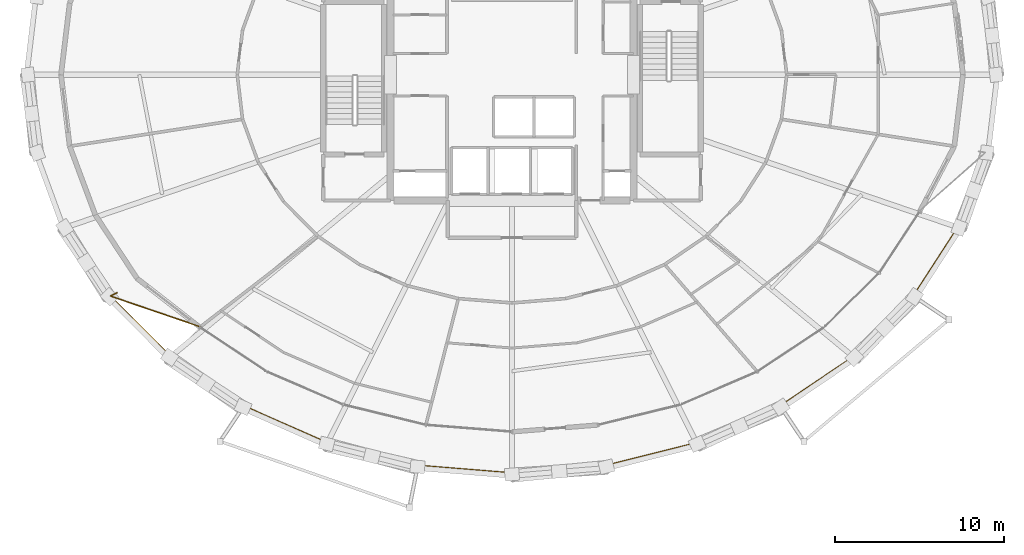
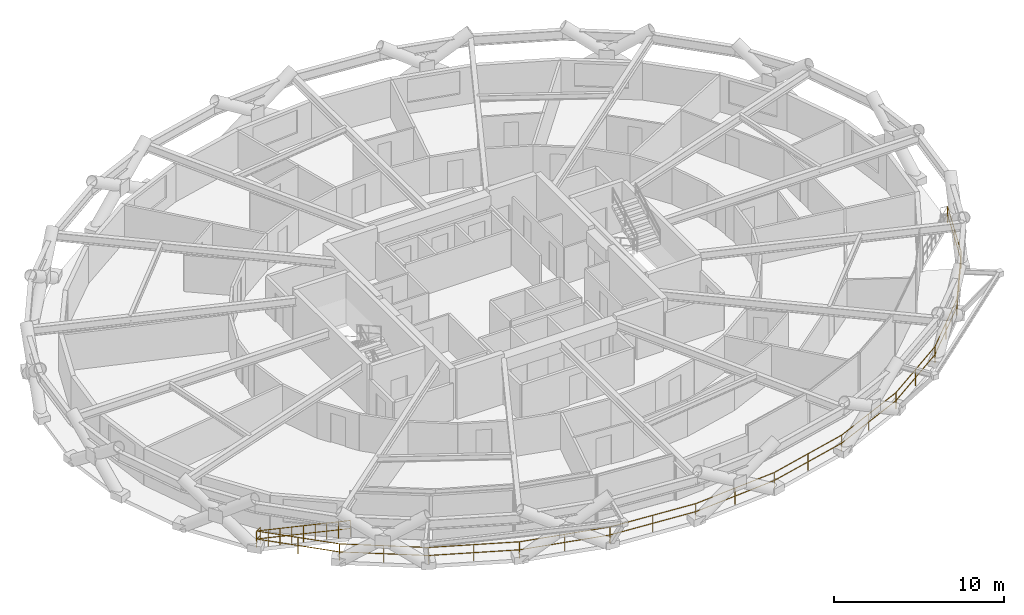
# One storey, part 20 of 21: 2 railings.
"""IFC4 building model written with IfcOpenShell, lengths in metres."""

from ifc_helpers import new_model, si_unit, direction, frame, origin, origin_2d, place, context, subcontext, project, spatial, circle, extrude, material, type_object, element, save


model = new_model("IFC4")

# Units and contexts
model_context = context("Model", 3, precision=1e-05, world=origin(), true_north=direction((0.0, 1.0)))
body_context = subcontext(model_context, "Body", "Model", "MODEL_VIEW")
ifc_project = project(units=[si_unit("LENGTHUNIT", "METRE"), si_unit("AREAUNIT", "SQUARE_METRE"), si_unit("VOLUMEUNIT", "CUBIC_METRE"), si_unit("PLANEANGLEUNIT", "RADIAN"), si_unit("MASSUNIT", "GRAM", prefix="KILO")], contexts=[model_context])

# Site, building, storey
site_placement = place(None, origin())
site = spatial("IfcSite", under=ifc_project, at=site_placement, CompositionType="ELEMENT")
building_placement = place(site_placement, origin())
building = spatial("IfcBuilding", under=site, at=building_placement, Name="Veldorina Hangang Commons", CompositionType="ELEMENT")
storey_placement = place(building_placement, frame((0.0, 0.0, 59.199951171875)))
storey = spatial("IfcBuildingStorey", under=building, at=storey_placement, Name="L14", CompositionType="ELEMENT", Elevation=59.199951171875)

# Railings
ifc_material = material(Name="Glass Laminated Safety Balustrade", Category="glass")
railing_type = type_object("IfcRailingType", Name="RL-BAL-LOGGIA", PredefinedType="BALUSTRADE", material=ifc_material)
railing_1_placement = place(storey_placement, frame((8.597412109375, 11.089599609375, 0.0)))
element("IfcRailing", 1, at=railing_1_placement, inside=storey, type_object=railing_type, Name="L14 sky-garden loggia end balustrade A", PredefinedType="BALUSTRADE", context=body_context, shape_type="SweptSolid", body=[
    extrude(circle(Radius=0.02392578125, at=origin_2d()), frame((0.0, 0.0, 1.17578125), z_axis=(-0.875687838718, -0.482877633693, 0.0), x_axis=(0.482877633693, -0.875687838718, 0.0)), (0.0, 0.0, 1.0), 0.420166015625),
    extrude(circle(Radius=0.02392578125, at=origin_2d()), frame((0.0, 0.0, 0.60009765625), z_axis=(-0.875687838718, -0.482877633693, 0.0), x_axis=(0.482877633693, -0.875687838718, 0.0)), (0.0, 0.0, 1.0), 0.420166015625),
    extrude(circle(Radius=0.02392578125, at=origin_2d()), frame((-0.367919921875, -0.202880859375, 1.17578125), z_axis=(0.946031716657, -0.324074051845, 0.0), x_axis=(0.324074051845, 0.946031716657, 0.0)), (0.0, 0.0, 1.0), 5.611572265625),
    extrude(circle(Radius=0.02392578125, at=origin_2d()), frame((-0.367919921875, -0.202880859375, 0.60009765625), z_axis=(0.946031716657, -0.324074051845, 0.0), x_axis=(0.324074051845, 0.946031716657, 0.0)), (0.0, 0.0, 1.0), 5.611572265625),
    extrude(circle(Radius=0.02099609375, at=origin_2d()), origin(), (0.0, 0.0, 1.0), 1.15185546875),
    extrude(circle(Radius=0.02099609375, at=origin_2d()), frame((-0.367919921875, -0.202880859375, 0.0)), (0.0, 0.0, 1.0), 1.15185546875),
    extrude(circle(Radius=0.02099609375, at=origin_2d()), frame((0.295654296875, -0.43017578125, 0.0)), (0.0, 0.0, 1.0), 1.15185546875),
    extrude(circle(Radius=0.02099609375, at=origin_2d()), frame((0.959228515625, -0.657470703125, 0.0)), (0.0, 0.0, 1.0), 1.15185546875),
    extrude(circle(Radius=0.02099609375, at=origin_2d()), frame((1.622802734375, -0.884765625, 0.0)), (0.0, 0.0, 1.0), 1.15185546875),
    extrude(circle(Radius=0.02099609375, at=origin_2d()), frame((2.28662109375, -1.1123046875, 0.0)), (0.0, 0.0, 1.0), 1.15185546875),
    extrude(circle(Radius=0.02099609375, at=origin_2d()), frame((2.9501953125, -1.339599609375, 0.0)), (0.0, 0.0, 1.0), 1.15185546875),
    extrude(circle(Radius=0.02099609375, at=origin_2d()), frame((3.61376953125, -1.56689453125, 0.0)), (0.0, 0.0, 1.0), 1.15185546875),
    extrude(circle(Radius=0.02099609375, at=origin_2d()), frame((4.27734375, -1.794189453125, 0.0)), (0.0, 0.0, 1.0), 1.15185546875),
    extrude(circle(Radius=0.02099609375, at=origin_2d()), frame((4.94091796875, -2.021484375, 0.0)), (0.0, 0.0, 1.0), 1.15185546875),
])
railing_2_placement = place(storey_placement, frame((8.2294921875, 10.88671875, 0.0)))
element("IfcRailing", 2, at=railing_2_placement, inside=storey, type_object=railing_type, Name="L14 sky-garden loggia outer balustrade", PredefinedType="BALUSTRADE", context=body_context, shape_type="SweptSolid", body=[
    extrude(circle(Radius=0.02392578125, at=origin_2d()), frame((0.0, 0.0, 1.17578125), z_axis=(0.705386245914, -0.708823140195, 0.0), x_axis=(0.708823140195, 0.705386245914, 0.0)), (0.0, 0.0, 1.0), 5.04345703125),
    extrude(circle(Radius=0.02392578125, at=origin_2d()), frame((0.0, 0.0, 0.60009765625), z_axis=(0.705386245914, -0.708823140195, 0.0), x_axis=(0.708823140195, 0.705386245914, 0.0)), (0.0, 0.0, 1.0), 5.04345703125),
    extrude(circle(Radius=0.02392578125, at=origin_2d()), frame((3.5576171875, -3.574951171875, 1.17578125), z_axis=(0.828182773158, -0.560458111052, 0.0), x_axis=(0.560458111052, 0.828182773158, 0.0)), (0.0, 0.0, 1.0), 5.232421875),
    extrude(circle(Radius=0.02392578125, at=origin_2d()), frame((3.5576171875, -3.574951171875, 0.60009765625), z_axis=(0.828182773158, -0.560458111052, 0.0), x_axis=(0.560458111052, 0.828182773158, 0.0)), (0.0, 0.0, 1.0), 5.232421875),
    extrude(circle(Radius=0.02392578125, at=origin_2d()), frame((7.89111328125, -6.507568359375, 1.17578125), z_axis=(0.915061589461, -0.403314130045, 0.0), x_axis=(0.403314130045, 0.915061589461, 0.0)), (0.0, 0.0, 1.0), 5.4013671875),
    extrude(circle(Radius=0.02392578125, at=origin_2d()), frame((7.89111328125, -6.507568359375, 0.60009765625), z_axis=(0.915061589461, -0.403314130045, 0.0), x_axis=(0.403314130045, 0.915061589461, 0.0)), (0.0, 0.0, 1.0), 5.4013671875),
    extrude(circle(Radius=0.02392578125, at=origin_2d()), frame((12.833740234375, -8.68603515625, 1.17578125), z_axis=(0.970134703995, -0.242566807506, 0.0), x_axis=(0.242566807506, 0.970134703995, 0.0)), (0.0, 0.0, 1.0), 5.526611328125),
    extrude(circle(Radius=0.02392578125, at=origin_2d()), frame((12.833740234375, -8.68603515625, 0.60009765625), z_axis=(0.970134703995, -0.242566807506, 0.0), x_axis=(0.242566807506, 0.970134703995, 0.0)), (0.0, 0.0, 1.0), 5.526611328125),
    extrude(circle(Radius=0.02392578125, at=origin_2d()), frame((18.1953125, -10.026611328125, 1.17578125), z_axis=(0.996716969217, -0.080964703884, 0.0), x_axis=(0.080964703884, 0.996716969217, 0.0)), (0.0, 0.0, 1.0), 5.593505859375),
    extrude(circle(Radius=0.02392578125, at=origin_2d()), frame((18.1953125, -10.026611328125, 0.60009765625), z_axis=(0.996716969217, -0.080964703884, 0.0), x_axis=(0.080964703884, 0.996716969217, 0.0)), (0.0, 0.0, 1.0), 5.593505859375),
    extrude(circle(Radius=0.02392578125, at=origin_2d()), frame((23.7705078125, -10.4794921875, 1.17578125), z_axis=(0.996716969217, 0.080964703884, 0.0), x_axis=(-0.080964703884, 0.996716969217, 0.0)), (0.0, 0.0, 1.0), 5.593505859375),
    extrude(circle(Radius=0.02392578125, at=origin_2d()), frame((23.7705078125, -10.4794921875, 0.60009765625), z_axis=(0.996716969217, 0.080964703884, 0.0), x_axis=(-0.080964703884, 0.996716969217, 0.0)), (0.0, 0.0, 1.0), 5.593505859375),
    extrude(circle(Radius=0.02392578125, at=origin_2d()), frame((29.345703125, -10.026611328125, 1.17578125), z_axis=(0.970134703995, 0.242566807506, 0.0), x_axis=(-0.242566807506, 0.970134703995, 0.0)), (0.0, 0.0, 1.0), 5.526611328125),
    extrude(circle(Radius=0.02392578125, at=origin_2d()), frame((29.345703125, -10.026611328125, 0.60009765625), z_axis=(0.970134703995, 0.242566807506, 0.0), x_axis=(-0.242566807506, 0.970134703995, 0.0)), (0.0, 0.0, 1.0), 5.526611328125),
    extrude(circle(Radius=0.02392578125, at=origin_2d()), frame((34.707275390625, -8.68603515625, 1.17578125), z_axis=(0.915061589461, 0.403314130045, 0.0), x_axis=(-0.403314130045, 0.915061589461, 0.0)), (0.0, 0.0, 1.0), 5.4013671875),
    extrude(circle(Radius=0.02392578125, at=origin_2d()), frame((34.707275390625, -8.68603515625, 0.60009765625), z_axis=(0.915061589461, 0.403314130045, 0.0), x_axis=(-0.403314130045, 0.915061589461, 0.0)), (0.0, 0.0, 1.0), 5.4013671875),
    extrude(circle(Radius=0.02392578125, at=origin_2d()), frame((39.64990234375, -6.507568359375, 1.17578125), z_axis=(0.828182773158, 0.560458111052, 0.0), x_axis=(-0.560458111052, 0.828182773158, 0.0)), (0.0, 0.0, 1.0), 5.232421875),
    extrude(circle(Radius=0.02392578125, at=origin_2d()), frame((39.64990234375, -6.507568359375, 0.60009765625), z_axis=(0.828182773158, 0.560458111052, 0.0), x_axis=(-0.560458111052, 0.828182773158, 0.0)), (0.0, 0.0, 1.0), 5.232421875),
    extrude(circle(Radius=0.02392578125, at=origin_2d()), frame((43.9833984375, -3.574951171875, 1.17578125), z_axis=(0.705386245914, 0.708823140195, 0.0), x_axis=(-0.708823140195, 0.705386245914, 0.0)), (0.0, 0.0, 1.0), 5.04345703125),
    extrude(circle(Radius=0.02392578125, at=origin_2d()), frame((43.9833984375, -3.574951171875, 0.60009765625), z_axis=(0.705386245914, 0.708823140195, 0.0), x_axis=(-0.708823140195, 0.705386245914, 0.0)), (0.0, 0.0, 1.0), 5.04345703125),
    extrude(circle(Radius=0.02392578125, at=origin_2d()), frame((47.541015625, 0.0, 1.17578125), z_axis=(0.543794604992, 0.839218343211, 0.0), x_axis=(-0.839218343211, 0.543794604992, 0.0)), (0.0, 0.0, 1.0), 4.86181640625),
    extrude(circle(Radius=0.02392578125, at=origin_2d()), frame((47.541015625, 0.0, 0.60009765625), z_axis=(0.543794604992, 0.839218343211, 0.0), x_axis=(-0.839218343211, 0.543794604992, 0.0)), (0.0, 0.0, 1.0), 4.86181640625),
    extrude(circle(Radius=0.02392578125, at=origin_2d()), frame((50.184814453125, 4.080078125, 1.17578125), z_axis=(0.345201726047, 0.938528512265, 0.0), x_axis=(-0.938528512265, 0.345201726047, 0.0)), (0.0, 0.0, 1.0), 4.718017578125),
    extrude(circle(Radius=0.02392578125, at=origin_2d()), frame((50.184814453125, 4.080078125, 0.60009765625), z_axis=(0.345201726047, 0.938528512265, 0.0), x_axis=(-0.938528512265, 0.345201726047, 0.0)), (0.0, 0.0, 1.0), 4.718017578125),
    extrude(circle(Radius=0.02099609375, at=origin_2d()), origin(), (0.0, 0.0, 1.0), 1.15185546875),
    extrude(circle(Radius=0.02099609375, at=origin_2d()), frame((1.77880859375, -1.78759765625, 0.0)), (0.0, 0.0, 1.0), 1.15185546875),
    extrude(circle(Radius=0.02099609375, at=origin_2d()), frame((3.5576171875, -3.574951171875, 0.0)), (0.0, 0.0, 1.0), 1.15185546875),
    extrude(circle(Radius=0.02099609375, at=origin_2d()), frame((5.724365234375, -5.041259765625, 0.0)), (0.0, 0.0, 1.0), 1.15185546875),
    extrude(circle(Radius=0.02099609375, at=origin_2d()), frame((7.89111328125, -6.507568359375, 0.0)), (0.0, 0.0, 1.0), 1.15185546875),
    extrude(circle(Radius=0.02099609375, at=origin_2d()), frame((10.3623046875, -7.5966796875, 0.0)), (0.0, 0.0, 1.0), 1.15185546875),
    extrude(circle(Radius=0.02099609375, at=origin_2d()), frame((12.833740234375, -8.68603515625, 0.0)), (0.0, 0.0, 1.0), 1.15185546875),
    extrude(circle(Radius=0.02099609375, at=origin_2d()), frame((15.5146484375, -9.3564453125, 0.0)), (0.0, 0.0, 1.0), 1.15185546875),
    extrude(circle(Radius=0.02099609375, at=origin_2d()), frame((18.1953125, -10.026611328125, 0.0)), (0.0, 0.0, 1.0), 1.15185546875),
    extrude(circle(Radius=0.02099609375, at=origin_2d()), frame((20.98291015625, -10.2529296875, 0.0)), (0.0, 0.0, 1.0), 1.15185546875),
    extrude(circle(Radius=0.02099609375, at=origin_2d()), frame((23.7705078125, -10.4794921875, 0.0)), (0.0, 0.0, 1.0), 1.15185546875),
    extrude(circle(Radius=0.02099609375, at=origin_2d()), frame((26.55810546875, -10.2529296875, 0.0)), (0.0, 0.0, 1.0), 1.15185546875),
    extrude(circle(Radius=0.02099609375, at=origin_2d()), frame((29.345703125, -10.026611328125, 0.0)), (0.0, 0.0, 1.0), 1.15185546875),
    extrude(circle(Radius=0.02099609375, at=origin_2d()), frame((32.0263671875, -9.3564453125, 0.0)), (0.0, 0.0, 1.0), 1.15185546875),
    extrude(circle(Radius=0.02099609375, at=origin_2d()), frame((34.707275390625, -8.68603515625, 0.0)), (0.0, 0.0, 1.0), 1.15185546875),
    extrude(circle(Radius=0.02099609375, at=origin_2d()), frame((37.1787109375, -7.5966796875, 0.0)), (0.0, 0.0, 1.0), 1.15185546875),
    extrude(circle(Radius=0.02099609375, at=origin_2d()), frame((39.64990234375, -6.507568359375, 0.0)), (0.0, 0.0, 1.0), 1.15185546875),
    extrude(circle(Radius=0.02099609375, at=origin_2d()), frame((41.816650390625, -5.041259765625, 0.0)), (0.0, 0.0, 1.0), 1.15185546875),
    extrude(circle(Radius=0.02099609375, at=origin_2d()), frame((43.9833984375, -3.574951171875, 0.0)), (0.0, 0.0, 1.0), 1.15185546875),
    extrude(circle(Radius=0.02099609375, at=origin_2d()), frame((45.76220703125, -1.78759765625, 0.0)), (0.0, 0.0, 1.0), 1.15185546875),
    extrude(circle(Radius=0.02099609375, at=origin_2d()), frame((47.541015625, 0.0, 0.0)), (0.0, 0.0, 1.0), 1.15185546875),
    extrude(circle(Radius=0.02099609375, at=origin_2d()), frame((48.86279296875, 2.0400390625, 0.0)), (0.0, 0.0, 1.0), 1.15185546875),
    extrude(circle(Radius=0.02099609375, at=origin_2d()), frame((50.184814453125, 4.080078125, 0.0)), (0.0, 0.0, 1.0), 1.15185546875),
    extrude(circle(Radius=0.02099609375, at=origin_2d()), frame((50.9990234375, 6.2939453125, 0.0)), (0.0, 0.0, 1.0), 1.15185546875),
    extrude(circle(Radius=0.02099609375, at=origin_2d()), frame((51.8134765625, 8.508056640625, 0.0)), (0.0, 0.0, 1.0), 1.15185546875),
])

save(model, "model.ifc")
